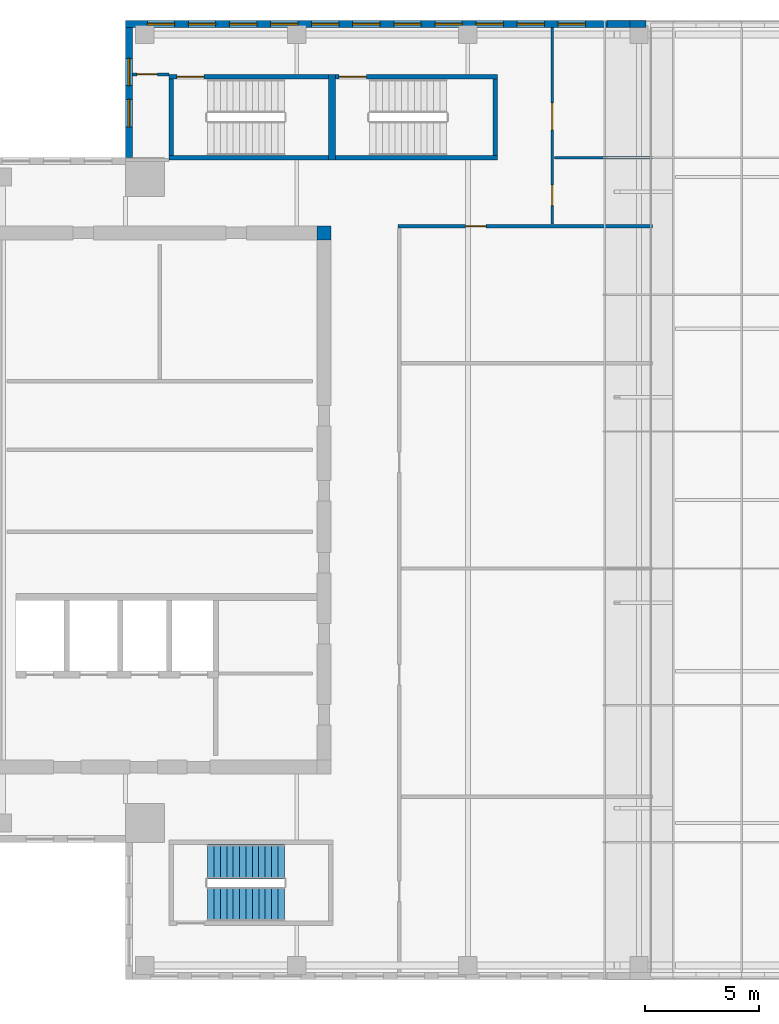
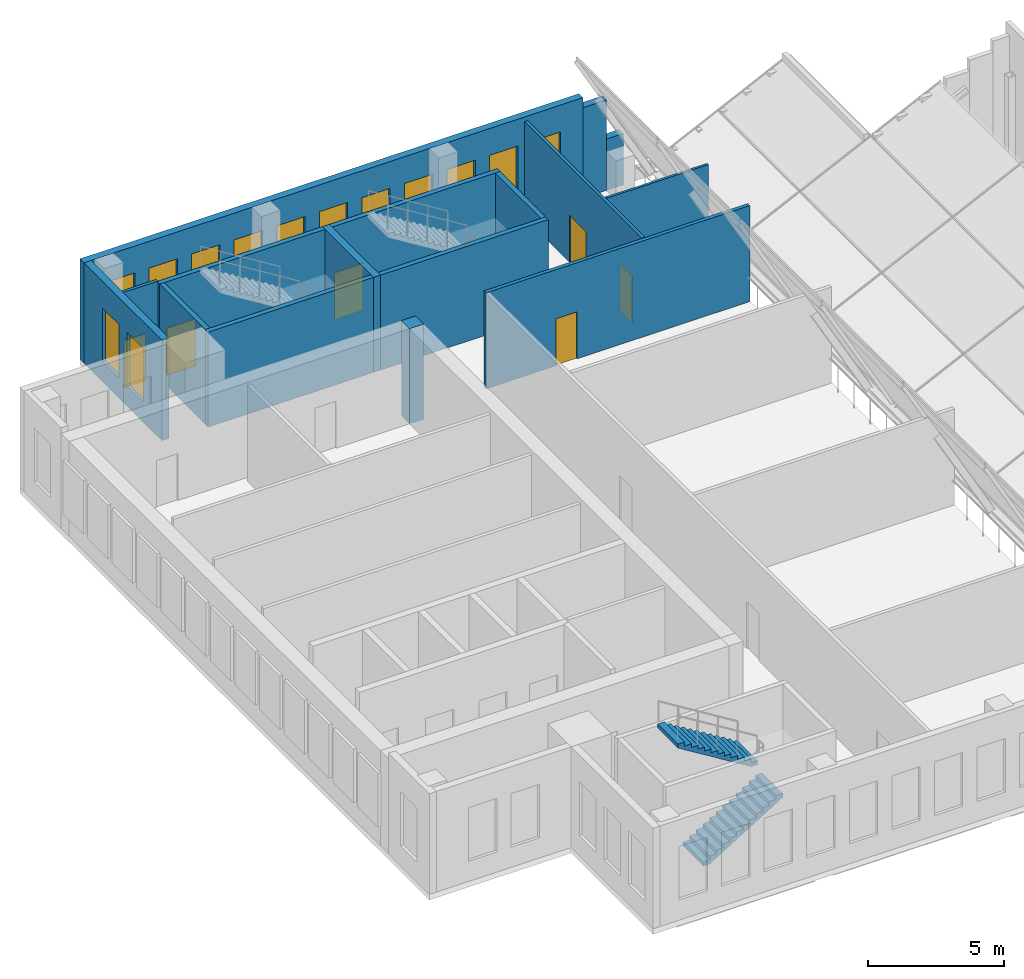
# One storey, part 6 of 11: 16 walls, 13 windows, 6 doors, 2 stair flights, 19 openings, 1 element without a shape of its own.
"""IFC4 building model written with IfcOpenShell, lengths in metres."""

import ifcopenshell
import ifcopenshell.guid

model = None  # the IFC model being written
_history = None  # IfcOwnerHistory: only IFC2X3 demands one
_inside = {}  # id of a spatial element -> (the spatial element, [elements in it])
_under = {}  # id of a project, library or spatial element -> (it, [spatial elements below it])
_declared = {}  # id of a project -> (the project, [libraries it declares])
_typed = {}  # id of a type object -> (the type object, [elements of that type])
_made_of = {}  # id of a material, layer set ... -> (it, [elements and type objects made of it])


def new_model(schema):
    """Start an empty IFC model of exactly this schema.

    Asked for "IFC4X3", IfcOpenShell would pick the latest addendum, in which some entities
    have other attributes; the version numbers below select the first issue.
    IFC2X3 requires an IfcOwnerHistory on every rooted entity: one is made here for all.
    """
    global model, _history
    if schema == "IFC4X3":
        model = ifcopenshell.file(schema_version=(4, 3, 0, 0))
    else:
        model = ifcopenshell.file(schema=schema)
    _inside.clear()
    _under.clear()
    _declared.clear()
    _typed.clear()
    _made_of.clear()
    _history = None
    if model.schema == "IFC2X3":
        org = make("IfcOrganization", Name="unknown")
        user = make(
            "IfcPersonAndOrganization",
            ThePerson=make("IfcPerson", FamilyName="unknown"),
            TheOrganization=org,
        )
        app = make(
            "IfcApplication",
            ApplicationDeveloper=org,
            Version="unknown",
            ApplicationFullName="unknown",
            ApplicationIdentifier="unknown",
        )
        _history = make(
            "IfcOwnerHistory",
            OwningUser=user,
            OwningApplication=app,
            ChangeAction="ADDED",
            CreationDate=0,
        )
    return model


def make(cls, **values):
    """One entity of the class cls with the attributes given. An attribute that is None is left unset."""
    return model.create_entity(
        cls, **{name: value for name, value in values.items() if value is not None}
    )


def rooted(cls, **values):
    """An entity with a GlobalId (a new one), such as an element, a storey or a relation."""
    return make(cls, GlobalId=ifcopenshell.guid.new(), OwnerHistory=_history, **values)


def si_unit(unit_type, name, prefix=None):
    """IfcSIUnit, for example si_unit("LENGTHUNIT", "METRE", prefix="MILLI")."""
    return make("IfcSIUnit", UnitType=unit_type, Prefix=prefix, Name=name)


def assignment(units):
    """IfcUnitAssignment: the units of a project."""
    return None if units is None else make("IfcUnitAssignment", Units=units)


def point(xyz):
    """IfcCartesianPoint."""
    return None if xyz is None else make("IfcCartesianPoint", Coordinates=xyz)


def direction(xyz):
    """IfcDirection."""
    return None if xyz is None else make("IfcDirection", DirectionRatios=xyz)


def frame(location, z_axis=None, x_axis=None):
    """IfcAxis2Placement3D, a coordinate frame: its origin and axes. An axis left out is left unset."""
    return make(
        "IfcAxis2Placement3D",
        Location=point(location),
        Axis=direction(z_axis),
        RefDirection=direction(x_axis),
    )


def frame_2d(location, x_axis=None):
    """IfcAxis2Placement2D, a coordinate frame in the plane: its origin and x axis."""
    return make(
        "IfcAxis2Placement2D", Location=point(location), RefDirection=direction(x_axis)
    )


def origin():
    """The frame at (0, 0, 0) with its axes left unset."""
    return frame((0.0, 0.0, 0.0))


def place(relative_to, where):
    """IfcLocalPlacement: puts the frame where relative to a parent placement (None: the world)."""
    return make(
        "IfcLocalPlacement", PlacementRelTo=relative_to, RelativePlacement=where
    )


def context(
    kind, dimensions, precision=None, world=None, true_north=None, identifier=None
):
    """IfcGeometricRepresentationContext, for example the 3D "Model" context."""
    return make(
        "IfcGeometricRepresentationContext",
        ContextIdentifier=identifier,
        ContextType=kind,
        CoordinateSpaceDimension=dimensions,
        Precision=precision,
        WorldCoordinateSystem=world,
        TrueNorth=true_north,
    )


def subcontext(parent, identifier, kind, view, scale=None):
    """IfcGeometricRepresentationSubContext, for example "Body" below "Model"."""
    return make(
        "IfcGeometricRepresentationSubContext",
        ContextIdentifier=identifier,
        ContextType=kind,
        ParentContext=parent,
        TargetScale=scale,
        TargetView=view,
    )


def project(units=None, contexts=None):
    """IfcProject with its units and contexts."""
    return rooted(
        "IfcProject",
        Name="project",
        RepresentationContexts=contexts,
        UnitsInContext=assignment(units),
    )


def spatial(cls, under=None, at=None, **own):
    """A site, building, storey or space (cls), placed at a placement, below another one or the project."""
    s = rooted(cls, ObjectPlacement=at, **own)
    if under is not None:
        _under.setdefault(under.id(), (under, []))[1].append(s)
    return s


def polyline(points):
    """IfcPolyline through the points."""
    return make("IfcPolyline", Points=[point(p) for p in points])


def profile(cls, at=None, kind="AREA", **sizes):
    """A parametric profile (cls). Its sizes go by their IFC names, for example OverallWidth=200.0."""
    return make(cls, ProfileType=kind, Position=at, **sizes)


def rectangle(**sizes):
    """IfcRectangleProfileDef."""
    return profile("IfcRectangleProfileDef", **sizes)


def outline(outer, holes=None, kind="AREA"):
    """IfcArbitraryClosedProfileDef: a profile drawn as a closed curve; with holes, ...WithVoids."""
    if holes is None:
        return make("IfcArbitraryClosedProfileDef", ProfileType=kind, OuterCurve=outer)
    return make(
        "IfcArbitraryProfileDefWithVoids",
        ProfileType=kind,
        OuterCurve=outer,
        InnerCurves=holes,
    )


def extrude(swept, where, along, depth):
    """IfcExtrudedAreaSolid: the profile swept, set in the frame where, extruded along a direction by depth."""
    return make(
        "IfcExtrudedAreaSolid",
        SweptArea=swept,
        Position=where,
        ExtrudedDirection=direction(along),
        Depth=depth,
    )


def shape(context_of_items, identifier, shape_type, items):
    """IfcShapeRepresentation: the items that make up one representation, for example the "Body"."""
    return make(
        "IfcShapeRepresentation",
        ContextOfItems=context_of_items,
        RepresentationIdentifier=identifier,
        RepresentationType=shape_type,
        Items=items,
    )


def source(mapping_origin, context_of_items, identifier, shape_type, items):
    """IfcRepresentationMap: a shape defined once, which mapped items show again and again."""
    return make(
        "IfcRepresentationMap",
        MappingOrigin=mapping_origin,
        MappedRepresentation=shape(context_of_items, identifier, shape_type, items),
    )


def transform(
    local_origin,
    x_axis=None,
    y_axis=None,
    z_axis=None,
    scale=None,
    scale2=None,
    scale3=None,
    uniform=True,
):
    """IfcCartesianTransformationOperator3D, or its non-uniform kind. x_axis, y_axis, z_axis: its Axis1, 2, 3."""
    if uniform:
        return make(
            "IfcCartesianTransformationOperator3D",
            Axis1=direction(x_axis),
            Axis2=direction(y_axis),
            LocalOrigin=point(local_origin),
            Scale=scale,
            Axis3=direction(z_axis),
        )
    return make(
        "IfcCartesianTransformationOperator3DnonUniform",
        Axis1=direction(x_axis),
        Axis2=direction(y_axis),
        LocalOrigin=point(local_origin),
        Scale=scale,
        Axis3=direction(z_axis),
        Scale2=scale2,
        Scale3=scale3,
    )


def mapped(mapping_source, mapping_target):
    """IfcMappedItem: shows the shape of a source again, moved by a transform."""
    return make(
        "IfcMappedItem", MappingSource=mapping_source, MappingTarget=mapping_target
    )


def material(Name=None, Category=None):
    """IfcMaterial."""
    return make("IfcMaterial", Name=Name, Category=Category)


def layer(
    of_material, thickness, ventilated=None, Name=None, Category=None, Priority=None
):
    """IfcMaterialLayer: one layer of a wall or slab, of a material (None: an air gap)."""
    return make(
        "IfcMaterialLayer",
        Material=of_material,
        LayerThickness=thickness,
        IsVentilated=ventilated,
        Name=Name,
        Category=Category,
        Priority=Priority,
    )


def layer_set(layers, Name=None):
    """IfcMaterialLayerSet."""
    return make("IfcMaterialLayerSet", MaterialLayers=layers, LayerSetName=Name)


def made_of(thing, what):
    """Note that an element or type object is made of a material, layer set ...; save() writes the relation."""
    if what is not None:
        _made_of.setdefault(what.id(), (what, []))[1].append(thing)
    return thing


def type_object(cls, material=None, **own):
    """A type object (cls), such as IfcWallType, which elements share."""
    return made_of(rooted(cls, **own), material)


def element(
    cls,
    number,
    at=None,
    inside=None,
    cuts=None,
    type_object=None,
    material=None,
    context=None,
    identifier="Body",
    shape_type=None,
    held_by="IfcProductDefinitionShape",
    body=None,
    shapes=None,
    **own,
):
    """One element of the class cls, such as IfcWall. Its Tag is "e" and its number.

    at: its placement. inside: the storey or other place that contains it. cuts: it is an
    opening in that element (IfcRelVoidsElement). A single representation is given by context,
    identifier, shape_type and body (its items); several are given by shapes. held_by: the class
    of the entity that holds the representations. save() writes the other relations.
    """
    e = rooted(cls, Tag="e%d" % number, ObjectPlacement=at, **own)
    if body is not None:
        shapes = [shape(context, identifier, shape_type, body)]
    if shapes is not None:
        e.Representation = make(held_by, Representations=shapes)
    if inside is not None:
        _inside.setdefault(inside.id(), (inside, []))[1].append(e)
    if cuts is not None:
        rooted(
            "IfcRelVoidsElement", RelatingBuildingElement=cuts, RelatedOpeningElement=e
        )
    if type_object is not None:
        _typed.setdefault(type_object.id(), (type_object, []))[1].append(e)
    return made_of(e, material)


def fill(opening, filler):
    """IfcRelFillsElement: the door or window that sits in an opening."""
    return rooted(
        "IfcRelFillsElement",
        RelatingOpeningElement=opening,
        RelatedBuildingElement=filler,
    )


def aggregate(whole, parts):
    """IfcRelAggregates: a whole, such as a stair, and the parts it consists of."""
    return rooted("IfcRelAggregates", RelatingObject=whole, RelatedObjects=parts)


def save(model, path):
    """Write the relations noted so far, then the file.

    IfcRelAggregates (storeys below a building ...), IfcRelContainedInSpatialStructure (elements
    in a storey), IfcRelDefinesByType, IfcRelAssociatesMaterial and IfcRelDeclares: one each for
    every whole, place, type object, material and project.
    """
    for whole, parts in _under.values():
        aggregate(whole, parts)
    for where, things in _inside.values():
        rooted(
            "IfcRelContainedInSpatialStructure",
            RelatedElements=things,
            RelatingStructure=where,
        )
    for kind, things in _typed.values():
        rooted("IfcRelDefinesByType", RelatedObjects=things, RelatingType=kind)
    for what, things in _made_of.values():
        rooted("IfcRelAssociatesMaterial", RelatedObjects=things, RelatingMaterial=what)
    for by, libraries in _declared.values():
        rooted("IfcRelDeclares", RelatingContext=by, RelatedDefinitions=libraries)
    model.write(path)


model = new_model("IFC4")

# Units and contexts
model_context = context("Model", 3, precision=1e-05, world=origin(), true_north=direction((0.0, 1.0)))
body_context = subcontext(model_context, "Body", "Model", "MODEL_VIEW")
ifc_project = project(units=[si_unit("LENGTHUNIT", "METRE"), si_unit("AREAUNIT", "SQUARE_METRE"), si_unit("VOLUMEUNIT", "CUBIC_METRE"), si_unit("PLANEANGLEUNIT", "RADIAN"), si_unit("MASSUNIT", "GRAM", prefix="KILO")], contexts=[model_context])

# Site, building, storey
site_placement = place(None, origin())
site = spatial("IfcSite", under=ifc_project, at=site_placement, CompositionType="ELEMENT")
building_placement = place(site_placement, origin())
building = spatial("IfcBuilding", under=site, at=building_placement, Name="Khomas Fold Tower", CompositionType="ELEMENT")
storey_placement = place(building_placement, frame((0.0, 0.0, 334.699951171875)))
storey = spatial("IfcBuildingStorey", under=building, at=storey_placement, Name="C2", CompositionType="ELEMENT", Elevation=334.699951171875)

# Wall
ifc_material_1 = material(Name="Concrete C50/60", Category="concrete")
ifc_layer_1 = layer(ifc_material_1, 0.60009765625)
ifc_layer_set_1 = layer_set([ifc_layer_1], Name="Concrete C50/60")
wall_type_1 = type_object("IfcWallType", Name="Core corner wall 600", PredefinedType="SHEAR", material=ifc_layer_set_1)
shared_shape_1 = source(origin(), body_context, "Body", "SweptSolid", [
    extrude(rectangle(XDim=0.60009765625, YDim=0.60009765625, at=frame_2d((0.300048828125, 0.0))), origin(), (0.0, 0.0, 1.0), 4.25),
])
wall_1_placement = place(storey_placement, frame((20.39990234375, 38.699951171875, 0.0), z_axis=(0.0, 0.0, 1.0), x_axis=(1.0, 0.0, 0.0)))
element("IfcWall", 1, at=wall_1_placement, inside=storey, type_object=wall_type_1, Name="Core wall CW-U-NE-L63", PredefinedType="SHEAR", context=body_context, shape_type="MappedRepresentation", body=[
    mapped(shared_shape_1, transform((0.0, 0.0, 0.0))),
])

# Wall, opening, door
ifc_material_2 = material(Name="Concrete C50/60", Category="concrete")
ifc_layer_2 = layer(ifc_material_2, 0.199951171875)
ifc_layer_set_2 = layer_set([ifc_layer_2], Name="Concrete C50/60")
wall_type_2 = type_object("IfcWallType", Name="Stair wall 200", PredefinedType="SHEAR", material=ifc_layer_set_2)
shared_shape_2 = source(origin(), body_context, "Body", "SweptSolid", [
    extrude(rectangle(XDim=7.0, YDim=0.199951171875, at=frame_2d((3.5, 0.0))), origin(), (0.0, 0.0, 1.0), 4.25),
])
wall_2_placement = place(storey_placement, frame((13.89990234375, 45.550048828125, 0.0), z_axis=(0.0, 0.0, 1.0), x_axis=(1.0, 0.0, 0.0)))
wall_2 = element("IfcWall", 2, at=wall_2_placement, inside=storey, type_object=wall_type_2, Name="Stair wall SW-ST1-N", PredefinedType="SHEAR", context=body_context, shape_type="MappedRepresentation", body=[
    mapped(shared_shape_2, transform((0.0, 0.0, 0.0))),
])
shared_shape_3 = source(origin(), body_context, "Body", "SweptSolid", [
    extrude(rectangle(XDim=1.199951171875, YDim=2.10009765625, at=frame_2d((0.60009765625, 1.050048828125))), frame((0.0, 0.10986328125, 0.0), z_axis=(0.0, -1.0, 0.0), x_axis=(1.0, 0.0, 0.0)), (0.0, 0.0, 1.0), 0.219970703125),
])
opening_1_placement = place(wall_2_placement, frame((0.35009765625, 0.0, 0.0)))
opening_1 = element("IfcOpeningElement", 3, at=opening_1_placement, cuts=wall_2, Name="Opening SD-ST1", PredefinedType="OPENING", context=body_context, shape_type="MappedRepresentation", body=[
    mapped(shared_shape_3, transform((0.0, 0.0, 0.0))),
])
ifc_material_3 = material(Name="Steel door leaf", Category="steel")
door_type_1 = type_object("IfcDoorType", Name="Stair door 1200x2100 left-hand", OperationType="SINGLE_SWING_LEFT", PredefinedType="DOOR", material=ifc_material_3)
shared_shape_4 = source(origin(), body_context, "Body", "SweptSolid", [
    extrude(rectangle(XDim=1.199951171875, YDim=2.10009765625, at=frame_2d((0.60009765625, 1.050048828125))), frame((0.0, 0.02490234375, 0.0), z_axis=(0.0, -1.0, 0.0), x_axis=(1.0, 0.0, 0.0)), (0.0, 0.0, 1.0), 0.050048828125),
])
door_1_placement = place(opening_1_placement, origin())
door_1 = element("IfcDoor", 4, at=door_1_placement, inside=storey, type_object=door_type_1, Name="Stair door", OperationType="SINGLE_SWING_LEFT", OverallHeight=2.10009765625, OverallWidth=1.199951171875, PredefinedType="DOOR", context=body_context, shape_type="MappedRepresentation", body=[
    mapped(shared_shape_4, transform((0.0, 0.0, 0.0))),
])
fill(opening_1, door_1)

# Wall
wall_3_placement = place(storey_placement, frame((13.89990234375, 42.0, 0.0), z_axis=(0.0, 0.0, 1.0), x_axis=(1.0, 0.0, 0.0)))
element("IfcWall", 5, at=wall_3_placement, inside=storey, type_object=wall_type_2, Name="Stair wall SW-ST1-S", PredefinedType="SHEAR", context=body_context, shape_type="MappedRepresentation", body=[
    mapped(shared_shape_2, transform((0.0, 0.0, 0.0))),
])

# Wall, opening, door
shared_shape_5 = source(origin(), body_context, "Body", "SweptSolid", [
    extrude(rectangle(XDim=7.10009765625, YDim=0.199951171875, at=frame_2d((3.550048828125, 0.0))), origin(), (0.0, 0.0, 1.0), 4.25),
])
wall_4_placement = place(storey_placement, frame((21.199951171875, 45.550048828125, 0.0), z_axis=(0.0, 0.0, 1.0), x_axis=(1.0, 0.0, 0.0)))
wall_4 = element("IfcWall", 6, at=wall_4_placement, inside=storey, type_object=wall_type_2, Name="Stair wall SW-ST3-N", PredefinedType="SHEAR", context=body_context, shape_type="MappedRepresentation", body=[
    mapped(shared_shape_5, transform((0.0, 0.0, 0.0))),
])
opening_2_placement = place(wall_4_placement, frame((0.14990234375, 0.0, 0.0)))
opening_2 = element("IfcOpeningElement", 7, at=opening_2_placement, cuts=wall_4, Name="Opening SD-ST3", PredefinedType="OPENING", context=body_context, shape_type="MappedRepresentation", body=[
    mapped(shared_shape_3, transform((0.0, 0.0, 0.0))),
])
door_2_placement = place(opening_2_placement, origin())
door_2 = element("IfcDoor", 8, at=door_2_placement, inside=storey, type_object=door_type_1, Name="Stair door", OperationType="SINGLE_SWING_LEFT", OverallHeight=2.10009765625, OverallWidth=1.199951171875, PredefinedType="DOOR", context=body_context, shape_type="MappedRepresentation", body=[
    mapped(shared_shape_4, transform((0.0, 0.0, 0.0))),
])
fill(opening_2, door_2)

# Walls
wall_5_placement = place(storey_placement, frame((21.199951171875, 42.0, 0.0), z_axis=(0.0, 0.0, 1.0), x_axis=(1.0, 0.0, 0.0)))
element("IfcWall", 9, at=wall_5_placement, inside=storey, type_object=wall_type_2, Name="Stair wall SW-ST3-S", PredefinedType="SHEAR", context=body_context, shape_type="MappedRepresentation", body=[
    mapped(shared_shape_5, transform((0.0, 0.0, 0.0))),
])
ifc_material_4 = material(Name="Concrete C50/60", Category="concrete")
ifc_layer_3 = layer(ifc_material_4, 0.300048828125)
ifc_layer_set_3 = layer_set([ifc_layer_3], Name="Concrete C50/60")
wall_type_3 = type_object("IfcWallType", Name="Stair wall 300", PredefinedType="SHEAR", material=ifc_layer_set_3)
shared_shape_6 = source(origin(), body_context, "Body", "SweptSolid", [
    extrude(rectangle(XDim=3.75, YDim=0.300048828125, at=frame_2d((1.875, 0.0))), origin(), (0.0, 0.0, 1.0), 4.25),
])
wall_6_placement = place(storey_placement, frame((21.050048828125, 41.89990234375, 0.0), z_axis=(0.0, 0.0, 1.0), x_axis=(0.0, 1.0, 0.0)))
element("IfcWall", 10, at=wall_6_placement, inside=storey, type_object=wall_type_3, Name="Stair wall SW-ST1-E", PredefinedType="SHEAR", context=body_context, shape_type="MappedRepresentation", body=[
    mapped(shared_shape_6, transform((0.0, 0.0, 0.0))),
])
shared_shape_7 = source(origin(), body_context, "Body", "SweptSolid", [
    extrude(rectangle(XDim=3.349853515625, YDim=0.199951171875, at=frame_2d((1.6748046875, 0.0))), origin(), (0.0, 0.0, 1.0), 4.25),
])
for number, where, z_axis, x_axis, name in (
    (11, (14.0, 42.10009765625, 0.0), (0.0, 0.0, 1.0), (0.0, 1.0, 0.0), "Stair wall SW-ST1-W"),
    (12, (28.199951171875, 42.10009765625, 0.0), (0.0, 0.0, 1.0), (0.0, 1.0, 0.0), "Stair wall SW-ST3-E"),
):
    element("IfcWall", number, at=place(storey_placement, frame(where, z_axis=z_axis, x_axis=x_axis)), inside=storey, type_object=wall_type_2, Name=name, PredefinedType="SHEAR", context=body_context, shape_type="MappedRepresentation", body=[
        mapped(shared_shape_7, transform((0.0, 0.0, 0.0))),
    ])

# Wall, openings, windows
ifc_material_5 = material(Name="Concrete C40/50", Category="concrete")
ifc_layer_4 = layer(ifc_material_5, 0.300048828125)
ifc_layer_set_4 = layer_set([ifc_layer_4], Name="Concrete C40/50")
wall_type_4 = type_object("IfcWallType", Name="Crown gable wall 300 CR-GW1", PredefinedType="SOLIDWALL", material=ifc_layer_set_4)
shared_shape_8 = source(origin(), body_context, "Body", "SweptSolid", [
    extrude(rectangle(XDim=5.699951171875, YDim=0.300048828125, at=frame_2d((2.85009765625, 0.0))), origin(), (0.0, 0.0, 1.0), 4.5),
])
wall_7_placement = place(storey_placement, frame((12.14990234375, 47.699951171875, 0.0), z_axis=(0.0, 0.0, 1.0), x_axis=(0.0, -1.0, 0.0)))
wall_7 = element("IfcWall", 13, at=wall_7_placement, inside=storey, type_object=wall_type_4, Name="Crown wall", PredefinedType="SOLIDWALL", context=body_context, shape_type="MappedRepresentation", body=[
    mapped(shared_shape_8, transform((0.0, 0.0, 0.0))),
])
shared_shape_9 = source(origin(), body_context, "Body", "SweptSolid", [
    extrude(rectangle(XDim=1.199951171875, YDim=2.39990234375, at=frame_2d((0.60009765625, 1.199951171875))), frame((0.0, 0.159912109375, 0.0), z_axis=(0.0, -1.0, 0.0), x_axis=(1.0, 0.0, 0.0)), (0.0, 0.0, 1.0), 0.320068359375),
])
opening_3_placement = place(wall_7_placement, frame((1.35009765625, 0.0, 0.89990234375)))
opening_3 = element("IfcOpeningElement", 14, at=opening_3_placement, cuts=wall_7, Name="Opening CR-LV", PredefinedType="OPENING", context=body_context, shape_type="MappedRepresentation", body=[
    mapped(shared_shape_9, transform((0.0, 0.0, 0.0))),
])
opening_4_placement = place(wall_7_placement, frame((3.14990234375, 0.0, 0.89990234375)))
opening_4 = element("IfcOpeningElement", 15, at=opening_4_placement, cuts=wall_7, Name="Opening CR-LV", PredefinedType="OPENING", context=body_context, shape_type="MappedRepresentation", body=[
    mapped(shared_shape_9, transform((0.0, 0.0, 0.0))),
])
ifc_material_6 = material(Name="Aluminium louvre", Category="aluminium")
window_type = type_object("IfcWindowType", Name="Crown plant louvre 1200 x 2400", PartitioningType="SINGLE_PANEL", PredefinedType="WINDOW", material=ifc_material_6)
shared_shape_10 = source(origin(), body_context, "Body", "SweptSolid", [
    extrude(rectangle(XDim=1.199951171875, YDim=2.39990234375, at=frame_2d((0.60009765625, 1.199951171875))), frame((0.0, 0.030029296875, 0.0), z_axis=(0.0, -1.0, 0.0), x_axis=(1.0, 0.0, 0.0)), (0.0, 0.0, 1.0), 0.06005859375),
])
window_1_placement = place(opening_3_placement, origin())
window_1 = element("IfcWindow", 16, at=window_1_placement, inside=storey, type_object=window_type, Name="Crown plant louvre", OverallHeight=2.39990234375, OverallWidth=1.199951171875, PartitioningType="SINGLE_PANEL", PredefinedType="WINDOW", context=body_context, shape_type="MappedRepresentation", body=[
    mapped(shared_shape_10, transform((0.0, 0.0, 0.0))),
])
fill(opening_3, window_1)
window_2_placement = place(opening_4_placement, origin())
window_2 = element("IfcWindow", 17, at=window_2_placement, inside=storey, type_object=window_type, Name="Crown plant louvre", OverallHeight=2.39990234375, OverallWidth=1.199951171875, PartitioningType="SINGLE_PANEL", PredefinedType="WINDOW", context=body_context, shape_type="MappedRepresentation", body=[
    mapped(shared_shape_10, transform((0.0, 0.0, 0.0))),
])
fill(opening_4, window_2)

# Walls
ifc_material_7 = material(Name="Concrete C40/50", Category="concrete")
ifc_layer_5 = layer(ifc_material_7, 0.300048828125)
ifc_layer_set_5 = layer_set([ifc_layer_5], Name="Concrete C40/50")
wall_type_5 = type_object("IfcWallType", Name="Crown gable wall 300 CR-GW2", PredefinedType="SOLIDWALL", material=ifc_layer_set_5)
shared_shape_11 = source(origin(), body_context, "Body", "SweptSolid", [
    extrude(rectangle(XDim=1.0048828125, YDim=0.300048828125, at=frame_2d((0.50244140625, 0.0))), origin(), (0.0, 0.0, 1.0), 4.050048828125),
])
wall_8_placement = place(storey_placement, frame((34.110107421875, 47.85009765625, 0.0), z_axis=(0.0, 0.0, 1.0), x_axis=(-1.0, 0.0, 0.0)))
element("IfcWall", 18, at=wall_8_placement, inside=storey, type_object=wall_type_5, Name="Crown wall", PredefinedType="SOLIDWALL", context=body_context, shape_type="MappedRepresentation", body=[
    mapped(shared_shape_11, transform((0.0, 0.0, 0.0))),
])
ifc_material_8 = material(Name="Concrete C40/50", Category="concrete")
ifc_layer_6 = layer(ifc_material_8, 0.300048828125)
ifc_layer_set_6 = layer_set([ifc_layer_6], Name="Concrete C40/50")
wall_type_6 = type_object("IfcWallType", Name="Crown gable wall 300 CR-GW3", PredefinedType="SOLIDWALL", material=ifc_layer_set_6)
shared_shape_12 = source(origin(), body_context, "Body", "SweptSolid", [
    extrude(rectangle(XDim=0.705078125, YDim=0.300048828125, at=frame_2d((0.3525390625, 0.0))), origin(), (0.0, 0.0, 1.0), 2.300048828125),
])
wall_9_placement = place(storey_placement, frame((34.815185546875, 47.85009765625, 0.0), z_axis=(0.0, 0.0, 1.0), x_axis=(-1.0, 0.0, 0.0)))
element("IfcWall", 19, at=wall_9_placement, inside=storey, type_object=wall_type_6, Name="Crown wall", PredefinedType="SOLIDWALL", context=body_context, shape_type="MappedRepresentation", body=[
    mapped(shared_shape_12, transform((0.0, 0.0, 0.0))),
])

# Wall, openings, windows
shared_shape_13 = source(origin(), body_context, "Body", "SweptSolid", [
    extrude(rectangle(XDim=21.105224609375, YDim=0.300048828125, at=frame_2d((10.552734375, 0.0))), origin(), (0.0, 0.0, 1.0), 4.5),
])
wall_10_placement = place(storey_placement, frame((33.105224609375, 47.85009765625, 0.0), z_axis=(0.0, 0.0, 1.0), x_axis=(-1.0, 0.0, 0.0)))
wall_10 = element("IfcWall", 20, at=wall_10_placement, inside=storey, type_object=wall_type_4, Name="Crown wall", PredefinedType="SOLIDWALL", context=body_context, shape_type="MappedRepresentation", body=[
    mapped(shared_shape_13, transform((0.0, 0.0, 0.0))),
])
opening_5_placement = place(wall_10_placement, frame((0.949951171875, 0.0, 0.89990234375)))
opening_5 = element("IfcOpeningElement", 21, at=opening_5_placement, cuts=wall_10, Name="Opening CR-LV", PredefinedType="OPENING", context=body_context, shape_type="MappedRepresentation", body=[
    mapped(shared_shape_9, transform((0.0, 0.0, 0.0))),
])
opening_6_placement = place(wall_10_placement, frame((2.75, 0.0, 0.89990234375)))
opening_6 = element("IfcOpeningElement", 22, at=opening_6_placement, cuts=wall_10, Name="Opening CR-LV", PredefinedType="OPENING", context=body_context, shape_type="MappedRepresentation", body=[
    mapped(shared_shape_9, transform((0.0, 0.0, 0.0))),
])
opening_7_placement = place(wall_10_placement, frame((4.550048828125, 0.0, 0.89990234375)))
opening_7 = element("IfcOpeningElement", 23, at=opening_7_placement, cuts=wall_10, Name="Opening CR-LV", PredefinedType="OPENING", context=body_context, shape_type="MappedRepresentation", body=[
    mapped(shared_shape_9, transform((0.0, 0.0, 0.0))),
])
opening_8_placement = place(wall_10_placement, frame((6.35009765625, 0.0, 0.89990234375)))
opening_8 = element("IfcOpeningElement", 24, at=opening_8_placement, cuts=wall_10, Name="Opening CR-LV", PredefinedType="OPENING", context=body_context, shape_type="MappedRepresentation", body=[
    mapped(shared_shape_9, transform((0.0, 0.0, 0.0))),
])
opening_9_placement = place(wall_10_placement, frame((8.14990234375, 0.0, 0.89990234375)))
opening_9 = element("IfcOpeningElement", 25, at=opening_9_placement, cuts=wall_10, Name="Opening CR-LV", PredefinedType="OPENING", context=body_context, shape_type="MappedRepresentation", body=[
    mapped(shared_shape_9, transform((0.0, 0.0, 0.0))),
])
opening_10_placement = place(wall_10_placement, frame((9.949951171875, 0.0, 0.89990234375)))
opening_10 = element("IfcOpeningElement", 26, at=opening_10_placement, cuts=wall_10, Name="Opening CR-LV", PredefinedType="OPENING", context=body_context, shape_type="MappedRepresentation", body=[
    mapped(shared_shape_9, transform((0.0, 0.0, 0.0))),
])
opening_11_placement = place(wall_10_placement, frame((11.75, 0.0, 0.89990234375)))
opening_11 = element("IfcOpeningElement", 27, at=opening_11_placement, cuts=wall_10, Name="Opening CR-LV", PredefinedType="OPENING", context=body_context, shape_type="MappedRepresentation", body=[
    mapped(shared_shape_9, transform((0.0, 0.0, 0.0))),
])
opening_12_placement = place(wall_10_placement, frame((13.550048828125, 0.0, 0.89990234375)))
opening_12 = element("IfcOpeningElement", 28, at=opening_12_placement, cuts=wall_10, Name="Opening CR-LV", PredefinedType="OPENING", context=body_context, shape_type="MappedRepresentation", body=[
    mapped(shared_shape_9, transform((0.0, 0.0, 0.0))),
])
opening_13_placement = place(wall_10_placement, frame((15.35009765625, 0.0, 0.89990234375)))
opening_13 = element("IfcOpeningElement", 29, at=opening_13_placement, cuts=wall_10, Name="Opening CR-LV", PredefinedType="OPENING", context=body_context, shape_type="MappedRepresentation", body=[
    mapped(shared_shape_9, transform((0.0, 0.0, 0.0))),
])
opening_14_placement = place(wall_10_placement, frame((17.14990234375, 0.0, 0.89990234375)))
opening_14 = element("IfcOpeningElement", 30, at=opening_14_placement, cuts=wall_10, Name="Opening CR-LV", PredefinedType="OPENING", context=body_context, shape_type="MappedRepresentation", body=[
    mapped(shared_shape_9, transform((0.0, 0.0, 0.0))),
])
opening_15_placement = place(wall_10_placement, frame((18.949951171875, 0.0, 0.89990234375)))
opening_15 = element("IfcOpeningElement", 31, at=opening_15_placement, cuts=wall_10, Name="Opening CR-LV", PredefinedType="OPENING", context=body_context, shape_type="MappedRepresentation", body=[
    mapped(shared_shape_9, transform((0.0, 0.0, 0.0))),
])
window_3_placement = place(opening_5_placement, origin())
window_3 = element("IfcWindow", 32, at=window_3_placement, inside=storey, type_object=window_type, Name="Crown plant louvre", OverallHeight=2.39990234375, OverallWidth=1.199951171875, PartitioningType="SINGLE_PANEL", PredefinedType="WINDOW", context=body_context, shape_type="MappedRepresentation", body=[
    mapped(shared_shape_10, transform((0.0, 0.0, 0.0))),
])
fill(opening_5, window_3)
window_4_placement = place(opening_6_placement, origin())
window_4 = element("IfcWindow", 33, at=window_4_placement, inside=storey, type_object=window_type, Name="Crown plant louvre", OverallHeight=2.39990234375, OverallWidth=1.199951171875, PartitioningType="SINGLE_PANEL", PredefinedType="WINDOW", context=body_context, shape_type="MappedRepresentation", body=[
    mapped(shared_shape_10, transform((0.0, 0.0, 0.0))),
])
fill(opening_6, window_4)
window_5_placement = place(opening_7_placement, origin())
window_5 = element("IfcWindow", 34, at=window_5_placement, inside=storey, type_object=window_type, Name="Crown plant louvre", OverallHeight=2.39990234375, OverallWidth=1.199951171875, PartitioningType="SINGLE_PANEL", PredefinedType="WINDOW", context=body_context, shape_type="MappedRepresentation", body=[
    mapped(shared_shape_10, transform((0.0, 0.0, 0.0))),
])
fill(opening_7, window_5)
window_6_placement = place(opening_8_placement, origin())
window_6 = element("IfcWindow", 35, at=window_6_placement, inside=storey, type_object=window_type, Name="Crown plant louvre", OverallHeight=2.39990234375, OverallWidth=1.199951171875, PartitioningType="SINGLE_PANEL", PredefinedType="WINDOW", context=body_context, shape_type="MappedRepresentation", body=[
    mapped(shared_shape_10, transform((0.0, 0.0, 0.0))),
])
fill(opening_8, window_6)
window_7_placement = place(opening_9_placement, origin())
window_7 = element("IfcWindow", 36, at=window_7_placement, inside=storey, type_object=window_type, Name="Crown plant louvre", OverallHeight=2.39990234375, OverallWidth=1.199951171875, PartitioningType="SINGLE_PANEL", PredefinedType="WINDOW", context=body_context, shape_type="MappedRepresentation", body=[
    mapped(shared_shape_10, transform((0.0, 0.0, 0.0))),
])
fill(opening_9, window_7)
window_8_placement = place(opening_10_placement, origin())
window_8 = element("IfcWindow", 37, at=window_8_placement, inside=storey, type_object=window_type, Name="Crown plant louvre", OverallHeight=2.39990234375, OverallWidth=1.199951171875, PartitioningType="SINGLE_PANEL", PredefinedType="WINDOW", context=body_context, shape_type="MappedRepresentation", body=[
    mapped(shared_shape_10, transform((0.0, 0.0, 0.0))),
])
fill(opening_10, window_8)
window_9_placement = place(opening_11_placement, origin())
window_9 = element("IfcWindow", 38, at=window_9_placement, inside=storey, type_object=window_type, Name="Crown plant louvre", OverallHeight=2.39990234375, OverallWidth=1.199951171875, PartitioningType="SINGLE_PANEL", PredefinedType="WINDOW", context=body_context, shape_type="MappedRepresentation", body=[
    mapped(shared_shape_10, transform((0.0, 0.0, 0.0))),
])
fill(opening_11, window_9)
window_10_placement = place(opening_12_placement, origin())
window_10 = element("IfcWindow", 39, at=window_10_placement, inside=storey, type_object=window_type, Name="Crown plant louvre", OverallHeight=2.39990234375, OverallWidth=1.199951171875, PartitioningType="SINGLE_PANEL", PredefinedType="WINDOW", context=body_context, shape_type="MappedRepresentation", body=[
    mapped(shared_shape_10, transform((0.0, 0.0, 0.0))),
])
fill(opening_12, window_10)
window_11_placement = place(opening_13_placement, origin())
window_11 = element("IfcWindow", 40, at=window_11_placement, inside=storey, type_object=window_type, Name="Crown plant louvre", OverallHeight=2.39990234375, OverallWidth=1.199951171875, PartitioningType="SINGLE_PANEL", PredefinedType="WINDOW", context=body_context, shape_type="MappedRepresentation", body=[
    mapped(shared_shape_10, transform((0.0, 0.0, 0.0))),
])
fill(opening_13, window_11)
window_12_placement = place(opening_14_placement, origin())
window_12 = element("IfcWindow", 41, at=window_12_placement, inside=storey, type_object=window_type, Name="Crown plant louvre", OverallHeight=2.39990234375, OverallWidth=1.199951171875, PartitioningType="SINGLE_PANEL", PredefinedType="WINDOW", context=body_context, shape_type="MappedRepresentation", body=[
    mapped(shared_shape_10, transform((0.0, 0.0, 0.0))),
])
fill(opening_14, window_12)
window_13_placement = place(opening_15_placement, origin())
window_13 = element("IfcWindow", 42, at=window_13_placement, inside=storey, type_object=window_type, Name="Crown plant louvre", OverallHeight=2.39990234375, OverallWidth=1.199951171875, PartitioningType="SINGLE_PANEL", PredefinedType="WINDOW", context=body_context, shape_type="MappedRepresentation", body=[
    mapped(shared_shape_10, transform((0.0, 0.0, 0.0))),
])
fill(opening_15, window_13)

# Wall, openings, doors
ifc_material_9 = material(Name="Plasterboard partition")
ifc_layer_7 = layer(ifc_material_9, 0.125)
ifc_layer_set_7 = layer_set([ifc_layer_7], Name="Plasterboard partition")
wall_type_7 = type_object("IfcWallType", Name="Partition PW2 125", PredefinedType="PARTITIONING", material=ifc_layer_set_7)
shared_shape_14 = source(origin(), body_context, "Body", "SweptSolid", [
    extrude(rectangle(XDim=8.599853515625, YDim=0.125, at=frame_2d((4.2998046875, 0.0))), origin(), (0.0, 0.0, 1.0), 4.300048828125),
])
wall_11_placement = place(storey_placement, frame((30.699951171875, 39.10009765625, 0.0), z_axis=(0.0, 0.0, 1.0), x_axis=(0.0, 1.0, 0.0)))
wall_11 = element("IfcWall", 43, at=wall_11_placement, inside=storey, type_object=wall_type_7, Name="Partition", PredefinedType="PARTITIONING", context=body_context, shape_type="MappedRepresentation", body=[
    mapped(shared_shape_14, transform((0.0, 0.0, 0.0))),
])
shared_shape_15 = source(origin(), body_context, "Body", "SweptSolid", [
    extrude(rectangle(XDim=0.89990234375, YDim=2.10009765625, at=frame_2d((0.449951171875, 1.050048828125))), frame((0.0, 0.072509765625, 0.0), z_axis=(0.0, -1.0, 0.0), x_axis=(1.0, 0.0, 0.0)), (0.0, 0.0, 1.0), 0.14501953125),
])
opening_16_placement = place(wall_11_placement, frame((0.800048828125, 0.0, 0.0)))
opening_16 = element("IfcOpeningElement", 44, at=opening_16_placement, cuts=wall_11, Name="Opening 0005", PredefinedType="OPENING", context=body_context, shape_type="MappedRepresentation", body=[
    mapped(shared_shape_15, transform((0.0, 0.0, 0.0))),
])
shared_shape_16 = source(origin(), body_context, "Body", "SweptSolid", [
    extrude(rectangle(XDim=1.199951171875, YDim=2.10009765625, at=frame_2d((0.60009765625, 1.050048828125))), frame((0.0, 0.072509765625, 0.0), z_axis=(0.0, -1.0, 0.0), x_axis=(1.0, 0.0, 0.0)), (0.0, 0.0, 1.0), 0.14501953125),
])
opening_17_placement = place(wall_11_placement, frame((4.10009765625, 0.0, 0.0)))
opening_17 = element("IfcOpeningElement", 45, at=opening_17_placement, cuts=wall_11, Name="Opening 0013", PredefinedType="OPENING", context=body_context, shape_type="MappedRepresentation", body=[
    mapped(shared_shape_16, transform((0.0, 0.0, 0.0))),
])
ifc_material_10 = material(Name="Timber door leaf", Category="wood")
door_type_2 = type_object("IfcDoorType", Name="WC door 900x2100 left-hand", OperationType="SINGLE_SWING_LEFT", PredefinedType="DOOR", material=ifc_material_10)
shared_shape_17 = source(origin(), body_context, "Body", "SweptSolid", [
    extrude(rectangle(XDim=0.89990234375, YDim=2.10009765625, at=frame_2d((0.449951171875, 1.050048828125))), frame((0.0, 0.02490234375, 0.0), z_axis=(0.0, -1.0, 0.0), x_axis=(1.0, 0.0, 0.0)), (0.0, 0.0, 1.0), 0.050048828125),
])
door_3_placement = place(opening_16_placement, origin())
door_3 = element("IfcDoor", 46, at=door_3_placement, inside=storey, type_object=door_type_2, Name="WC door", OperationType="SINGLE_SWING_LEFT", OverallHeight=2.10009765625, OverallWidth=0.89990234375, PredefinedType="DOOR", context=body_context, shape_type="MappedRepresentation", body=[
    mapped(shared_shape_17, transform((0.0, 0.0, 0.0))),
])
fill(opening_16, door_3)
ifc_material_11 = material(Name="Timber door leaf", Category="wood")
door_type_3 = type_object("IfcDoorType", Name="Door 1200x2100 left-hand", OperationType="SINGLE_SWING_LEFT", PredefinedType="DOOR", material=ifc_material_11)
door_4_placement = place(opening_17_placement, origin())
door_4 = element("IfcDoor", 47, at=door_4_placement, inside=storey, type_object=door_type_3, Name="Door", OperationType="SINGLE_SWING_LEFT", OverallHeight=2.10009765625, OverallWidth=1.199951171875, PredefinedType="DOOR", context=body_context, shape_type="MappedRepresentation", body=[
    mapped(shared_shape_4, transform((0.0, 0.0, 0.0))),
])
fill(opening_17, door_4)

# Wall, opening, door
shared_shape_18 = source(origin(), body_context, "Body", "SweptSolid", [
    extrude(rectangle(XDim=1.599853515625, YDim=0.125, at=frame_2d((0.7998046875, 0.0))), origin(), (0.0, 0.0, 1.0), 4.300048828125),
])
wall_12_placement = place(storey_placement, frame((12.300048828125, 45.64990234375, 0.0), z_axis=(0.0, 0.0, 1.0), x_axis=(1.0, 0.0, 0.0)))
wall_12 = element("IfcWall", 48, at=wall_12_placement, inside=storey, type_object=wall_type_7, Name="Partition", PredefinedType="PARTITIONING", context=body_context, shape_type="MappedRepresentation", body=[
    mapped(shared_shape_18, transform((0.0, 0.0, 0.0))),
])
opening_18_placement = place(wall_12_placement, frame((0.199951171875, 0.0, 0.0)))
opening_18 = element("IfcOpeningElement", 49, at=opening_18_placement, cuts=wall_12, Name="Opening 0007", PredefinedType="OPENING", context=body_context, shape_type="MappedRepresentation", body=[
    mapped(shared_shape_15, transform((0.0, 0.0, 0.0))),
])
ifc_material_12 = material(Name="Timber door leaf", Category="wood")
door_type_4 = type_object("IfcDoorType", Name="Door 900x2100 left-hand", OperationType="SINGLE_SWING_LEFT", PredefinedType="DOOR", material=ifc_material_12)
door_5_placement = place(opening_18_placement, origin())
door_5 = element("IfcDoor", 50, at=door_5_placement, inside=storey, type_object=door_type_4, Name="Door", OperationType="SINGLE_SWING_LEFT", OverallHeight=2.10009765625, OverallWidth=0.89990234375, PredefinedType="DOOR", context=body_context, shape_type="MappedRepresentation", body=[
    mapped(shared_shape_17, transform((0.0, 0.0, 0.0))),
])
fill(opening_18, door_5)

ifc_material_13 = material(Name="Plasterboard fire partition")
ifc_layer_8 = layer(ifc_material_13, 0.14990234375)
ifc_layer_set_8 = layer_set([ifc_layer_8], Name="Plasterboard fire partition")
wall_type_8 = type_object("IfcWallType", Name="Plant room wall PW3 150", PredefinedType="PARTITIONING", material=ifc_layer_set_8)
shared_shape_19 = source(origin(), body_context, "Body", "SweptSolid", [
    extrude(rectangle(XDim=11.150146484375, YDim=0.14990234375, at=frame_2d((5.5751953125, 0.0))), origin(), (0.0, 0.0, 1.0), 4.300048828125),
])
wall_13_placement = place(storey_placement, frame((23.949951171875, 39.0, 0.0), z_axis=(0.0, 0.0, 1.0), x_axis=(1.0, 0.0, 0.0)))
wall_13 = element("IfcWall", 51, at=wall_13_placement, inside=storey, type_object=wall_type_8, Name="Plant room wall", PredefinedType="PARTITIONING", context=body_context, shape_type="MappedRepresentation", body=[
    mapped(shared_shape_19, transform((0.0, 0.0, 0.0))),
])
shared_shape_20 = source(origin(), body_context, "Body", "SweptSolid", [
    extrude(rectangle(XDim=0.89990234375, YDim=2.10009765625, at=frame_2d((0.449951171875, 1.050048828125))), frame((0.0, 0.0849609375, 0.0), z_axis=(0.0, -1.0, 0.0), x_axis=(1.0, 0.0, 0.0)), (0.0, 0.0, 1.0), 0.169921875),
])
opening_19_placement = place(wall_13_placement, frame((2.949951171875, 0.0, 0.0)))
opening_19 = element("IfcOpeningElement", 52, at=opening_19_placement, cuts=wall_13, Name="Opening 0002", PredefinedType="OPENING", context=body_context, shape_type="MappedRepresentation", body=[
    mapped(shared_shape_20, transform((0.0, 0.0, 0.0))),
])
ifc_material_14 = material(Name="Steel door leaf", Category="steel")
door_type_5 = type_object("IfcDoorType", Name="Plant room door 900x2100 left-hand", OperationType="SINGLE_SWING_LEFT", PredefinedType="DOOR", material=ifc_material_14)
door_6_placement = place(opening_19_placement, origin())
door_6 = element("IfcDoor", 53, at=door_6_placement, inside=storey, type_object=door_type_5, Name="Plant room door", OperationType="SINGLE_SWING_LEFT", OverallHeight=2.10009765625, OverallWidth=0.89990234375, PredefinedType="DOOR", context=body_context, shape_type="MappedRepresentation", body=[
    mapped(shared_shape_17, transform((0.0, 0.0, 0.0))),
])
fill(opening_19, door_6)

# Wall
ifc_material_15 = material(Name="Plasterboard partition")
ifc_layer_9 = layer(ifc_material_15, 0.10009765625)
ifc_layer_set_9 = layer_set([ifc_layer_9], Name="Plasterboard partition")
wall_type_9 = type_object("IfcWallType", Name="Partition PW1 100", PredefinedType="PARTITIONING", material=ifc_layer_set_9)
shared_shape_21 = source(origin(), body_context, "Body", "SweptSolid", [
    extrude(rectangle(XDim=4.300048828125, YDim=0.10009765625, at=frame_2d((2.14990234375, 0.0))), origin(), (0.0, 0.0, 1.0), 4.300048828125),
])
wall_14_placement = place(storey_placement, frame((30.800048828125, 42.0, 0.0), z_axis=(0.0, 0.0, 1.0), x_axis=(1.0, 0.0, 0.0)))
element("IfcWall", 54, at=wall_14_placement, inside=storey, type_object=wall_type_9, Name="Partition", PredefinedType="PARTITIONING", context=body_context, shape_type="MappedRepresentation", body=[
    mapped(shared_shape_21, transform((0.0, 0.0, 0.0))),
])

# Stair, stair flights
ifc_material_16 = material(Name="Concrete C40/50", Category="concrete")
stair_type = type_object("IfcStairType", Name="Stair ST2", PredefinedType="HALF_TURN_STAIR", material=ifc_material_16)
stair_placement = place(storey_placement, origin())
stair = element("IfcStair", 55, at=stair_placement, inside=storey, type_object=stair_type, Name="C2 ST2", PredefinedType="HALF_TURN_STAIR")
ifc_material_17 = material(Name="Concrete C40/50", Category="concrete")
stair_flight_type = type_object("IfcStairFlightType", Name="Stair flight 1500 ST2", PredefinedType="STRAIGHT", material=ifc_material_17)
shared_shape_22 = source(origin(), body_context, "Body", "SweptSolid", [
    extrude(outline(polyline([(0.0, 0.0), (0.0, 0.013427734375), (0.0, 0.026611328125), (0.0, 0.0400390625), (0.0, 0.05322265625), (0.0, 0.066650390625), (0.0, 0.079833984375), (0.0, 0.09326171875), (0.0, 0.1064453125), (0.0, 0.119873046875), (0.0, 0.133056640625), (0.0, 0.146484375), (0.0, 0.15966796875), (0.0, 0.173095703125), (0.280029296875, 0.173095703125), (0.280029296875, 0.34619140625), (0.56005859375, 0.34619140625), (0.56005859375, 0.519287109375), (0.840087890625, 0.519287109375), (0.840087890625, 0.6923828125), (1.1201171875, 0.6923828125), (1.1201171875, 0.865478515625), (1.39990234375, 0.865478515625), (1.39990234375, 1.03857421875), (1.679931640625, 1.03857421875), (1.679931640625, 1.21142578125), (1.9599609375, 1.21142578125), (1.9599609375, 1.384521484375), (2.239990234375, 1.384521484375), (2.239990234375, 1.5576171875), (2.52001953125, 1.5576171875), (2.52001953125, 1.730712890625), (2.800048828125, 1.730712890625), (2.800048828125, 1.90380859375), (3.080078125, 1.90380859375), (3.080078125, 2.076904296875), (3.360107421875, 2.076904296875), (3.360107421875, 2.25), (3.360107421875, 2.22314453125), (3.360107421875, 2.1962890625), (3.360107421875, 2.16943359375), (3.360107421875, 2.142578125), (3.360107421875, 2.11572265625), (3.360107421875, 2.0888671875), (3.360107421875, 2.06201171875), (3.360107421875, 2.03515625), (3.360107421875, 2.008056640625), (3.360107421875, 1.981201171875), (3.360107421875, 1.954345703125), (3.360107421875, 1.927490234375), (3.360107421875, 1.900634765625), (0.28515625, 0.0), (0.0, 0.0)])), frame((0.0, 0.75, 0.0), z_axis=(0.0, -1.0, 0.0), x_axis=(1.0, 0.0, 0.0)), (0.0, 0.0, 1.0), 1.5),
])
stair_flight_1_placement = place(storey_placement, frame((15.60009765625, 9.300048828125, 0.0), z_axis=(0.0, 0.0, 1.0), x_axis=(1.0, 0.0, 0.0)))
stair_flight_1 = element("IfcStairFlight", 56, at=stair_flight_1_placement, type_object=stair_flight_type, Name="ST2 flight 1", NumberOfRisers=13, NumberOfTreads=12, PredefinedType="STRAIGHT", RiserHeight=0.173076923, TreadLength=0.28, context=body_context, shape_type="MappedRepresentation", body=[
    mapped(shared_shape_22, transform((0.0, 0.0, 0.0))),
])
stair_flight_2_placement = place(storey_placement, frame((18.9599609375, 11.14990234375, 2.25), z_axis=(0.0, 0.0, 1.0), x_axis=(-1.0, 0.0, 0.0)))
stair_flight_2 = element("IfcStairFlight", 57, at=stair_flight_2_placement, type_object=stair_flight_type, Name="ST2 flight 2", NumberOfRisers=13, NumberOfTreads=12, PredefinedType="STRAIGHT", RiserHeight=0.173076923, TreadLength=0.28, context=body_context, shape_type="MappedRepresentation", body=[
    mapped(shared_shape_22, transform((0.0, 0.0, 0.0))),
])
aggregate(stair, [stair_flight_1, stair_flight_2])

save(model, "model.ifc")
